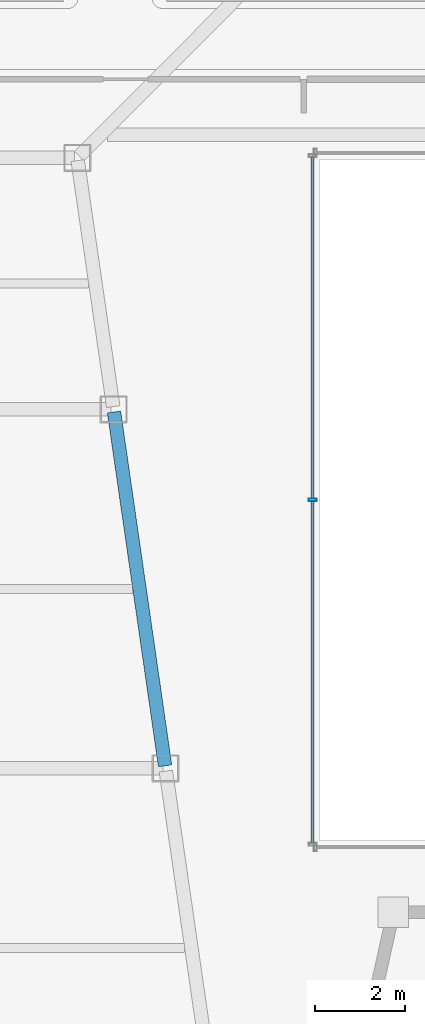
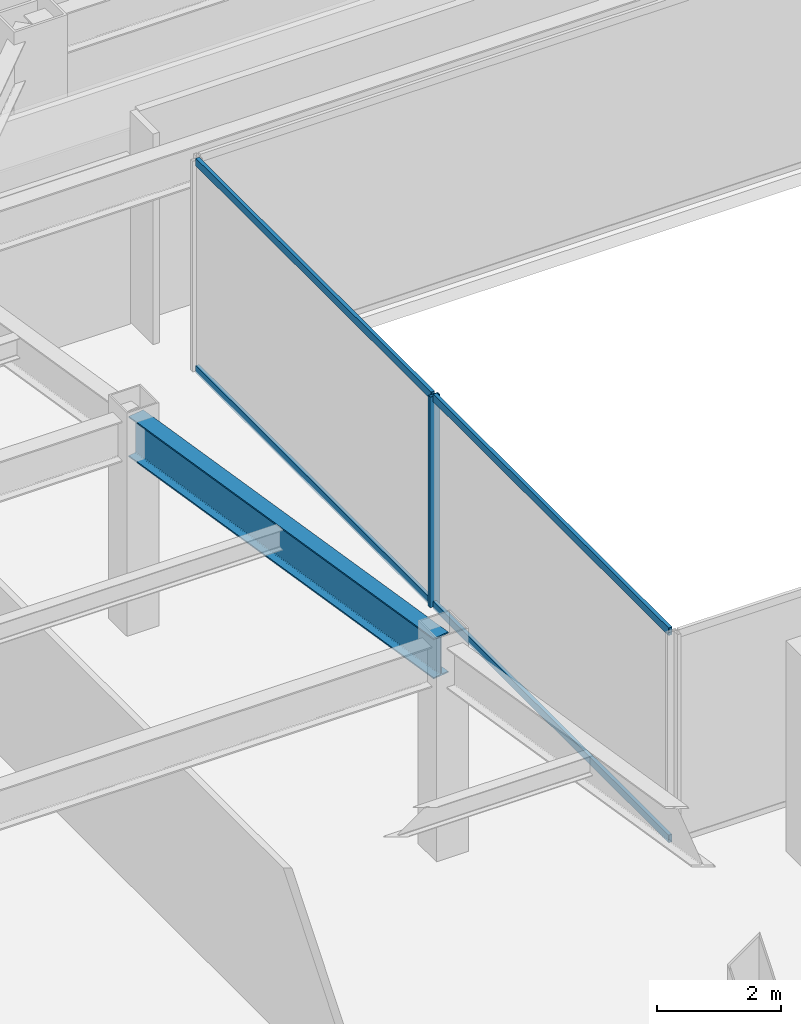
# One storey, part 8 of 35: 5 members, 1 beam, 1 element without a shape of its own.
"""IFC4 building model written with IfcOpenShell, lengths in metres."""

from ifc_helpers import new_model, si_unit, direction, frame, origin, origin_2d, place, context, subcontext, project, spatial, hollow_rectangle, i_section, extrude, material, material_profile, profile_set, type_object, element, aggregate, save


model = new_model("IFC4")

# Units and contexts
model_context = context("Model", 3, precision=1e-05, world=origin(), true_north=direction((0.0, 1.0)))
body_context = subcontext(model_context, "Body", "Model", "MODEL_VIEW")
ifc_project = project(units=[si_unit("LENGTHUNIT", "METRE"), si_unit("AREAUNIT", "SQUARE_METRE"), si_unit("VOLUMEUNIT", "CUBIC_METRE"), si_unit("PLANEANGLEUNIT", "RADIAN"), si_unit("MASSUNIT", "GRAM", prefix="KILO")], contexts=[model_context])

# Site, building, storey
site_placement = place(None, origin())
site = spatial("IfcSite", under=ifc_project, at=site_placement, CompositionType="ELEMENT")
building_placement = place(site_placement, origin())
building = spatial("IfcBuilding", under=site, at=building_placement, Name="Saevonmaru Cultural Tower", CompositionType="ELEMENT")
storey_placement = place(building_placement, frame((0.0, 0.0, 101.60009765625)))
storey = spatial("IfcBuildingStorey", under=building, at=storey_placement, Name="L21", CompositionType="ELEMENT", Elevation=101.60009765625)

# Beam
ifc_material_1 = material(Name="Steel SM420", Category="steel")
ifc_material_profile_1 = material_profile(ifc_material_1, i_section(OverallWidth=0.300048828125, OverallDepth=0.800048828125, WebThickness=0.013916015625, FlangeThickness=0.02587890625, FilletRadius=0.028076171875, at=origin_2d()), Name="H-800x300x14x26")
ifc_profile_set_1 = profile_set([ifc_material_profile_1], Name="Steel SM420")
beam_type = type_object("IfcBeamType", Name="BM-G-H800", PredefinedType="BEAM", material=ifc_profile_set_1)
beam_placement = place(storey_placement, frame((20.763427734375, 24.059326171875, 3.75), z_axis=(-0.142902032203, 0.989736838353, 0.0), x_axis=(-0.989736838353, -0.142902032203, 0.0)))
element("IfcBeam", 1, at=beam_placement, inside=storey, type_object=beam_type, Name="L21 West Atrium Girder 3", PredefinedType="BEAM", context=body_context, shape_type="SweptSolid", body=[
    extrude(i_section(OverallWidth=0.300048828125, OverallDepth=0.800048828125, WebThickness=0.013916015625, FlangeThickness=0.02587890625, FilletRadius=0.028076171875, at=origin_2d()), origin(), (0.0, 0.0, 1.0), 7.963134765625),
])

# Curtain wall, members
ifc_material_2 = material(Name="Satin Bronze Anodised Aluminium", Category="aluminium")
curtain_wall_type = type_object("IfcCurtainWallType", Name="CW-ATR-GLZ", PredefinedType="NOTDEFINED", material=ifc_material_2)
curtain_wall_placement = place(storey_placement, origin())
curtain_wall = element("IfcCurtainWall", 2, at=curtain_wall_placement, inside=storey, type_object=curtain_wall_type, Name="L21 Vertical Atrium Glazed Smoke Screen 4", PredefinedType="NOTDEFINED")
ifc_material_profile_2 = material_profile(ifc_material_2, hollow_rectangle(XDim=0.06494140625, YDim=0.179931640625, WallThickness=0.00390625, at=origin_2d()), Name="ALU-MULL-180x65x4")
ifc_profile_set_2 = profile_set([ifc_material_profile_2], Name="Satin Bronze Anodised Aluminium")
member_type_1 = type_object("IfcMemberType", Name="ML-CW-INT-180x65", PredefinedType="MULLION", material=ifc_profile_set_2)
member_1_placement = place(storey_placement, frame((24.050048828125, 29.97998046875, 0.0), z_axis=(0.0, 0.0, 1.0), x_axis=(0.0, -1.0, 0.0)))
member_1 = element("IfcMember", 3, at=member_1_placement, type_object=member_type_1, Name="CW-ATR-L21-4 mullion 2", PredefinedType="MULLION", context=body_context, shape_type="SweptSolid", body=[
    extrude(hollow_rectangle(XDim=0.06494140625, YDim=0.179931640625, WallThickness=0.00390625, at=origin_2d()), origin(), (0.0, 0.0, 1.0), 4.14990234375),
])
ifc_material_profile_3 = material_profile(ifc_material_2, hollow_rectangle(XDim=0.06494140625, YDim=0.14990234375, WallThickness=0.00390625, at=origin_2d()), Name="ALU-TRAN-150x65x4")
ifc_profile_set_3 = profile_set([ifc_material_profile_3], Name="Satin Bronze Anodised Aluminium")
member_type_2 = type_object("IfcMemberType", Name="TR-CW-INT-150x65", PredefinedType="USERDEFINED", material=ifc_profile_set_3)
member_2_placement = place(storey_placement, frame((24.050048828125, 37.617431640625, 0.032470703125), z_axis=(0.0, -1.0, 0.0), x_axis=(1.0, 0.0, 0.0)))
member_2 = element("IfcMember", 4, at=member_2_placement, type_object=member_type_2, Name="CW-ATR-L21-4 transom 1.1", ObjectType="TRANSOM", PredefinedType="USERDEFINED", context=body_context, shape_type="SweptSolid", body=[
    extrude(hollow_rectangle(XDim=0.06494140625, YDim=0.14990234375, WallThickness=0.00390625, at=origin_2d()), origin(), (0.0, 0.0, 1.0), 7.60498046875),
])
member_3_placement = place(storey_placement, frame((24.050048828125, 37.617431640625, 4.117431640625), z_axis=(0.0, -1.0, 0.0), x_axis=(1.0, 0.0, 0.0)))
member_3 = element("IfcMember", 5, at=member_3_placement, type_object=member_type_2, Name="CW-ATR-L21-4 transom 1.2", ObjectType="TRANSOM", PredefinedType="USERDEFINED", context=body_context, shape_type="SweptSolid", body=[
    extrude(hollow_rectangle(XDim=0.06494140625, YDim=0.14990234375, WallThickness=0.00390625, at=origin_2d()), origin(), (0.0, 0.0, 1.0), 7.60498046875),
])
member_4_placement = place(storey_placement, frame((24.050048828125, 29.947509765625, 0.032470703125), z_axis=(0.0, -1.0, 0.0), x_axis=(1.0, 0.0, 0.0)))
member_4 = element("IfcMember", 6, at=member_4_placement, type_object=member_type_2, Name="CW-ATR-L21-4 transom 2.1", ObjectType="TRANSOM", PredefinedType="USERDEFINED", context=body_context, shape_type="SweptSolid", body=[
    extrude(hollow_rectangle(XDim=0.06494140625, YDim=0.14990234375, WallThickness=0.00390625, at=origin_2d()), origin(), (0.0, 0.0, 1.0), 7.60498046875),
])
member_5_placement = place(storey_placement, frame((24.050048828125, 29.947509765625, 4.117431640625), z_axis=(0.0, -1.0, 0.0), x_axis=(1.0, 0.0, 0.0)))
member_5 = element("IfcMember", 7, at=member_5_placement, type_object=member_type_2, Name="CW-ATR-L21-4 transom 2.2", ObjectType="TRANSOM", PredefinedType="USERDEFINED", context=body_context, shape_type="SweptSolid", body=[
    extrude(hollow_rectangle(XDim=0.06494140625, YDim=0.14990234375, WallThickness=0.00390625, at=origin_2d()), origin(), (0.0, 0.0, 1.0), 7.60498046875),
])
aggregate(curtain_wall, [member_1, member_2, member_3, member_4, member_5])

save(model, "model.ifc")
